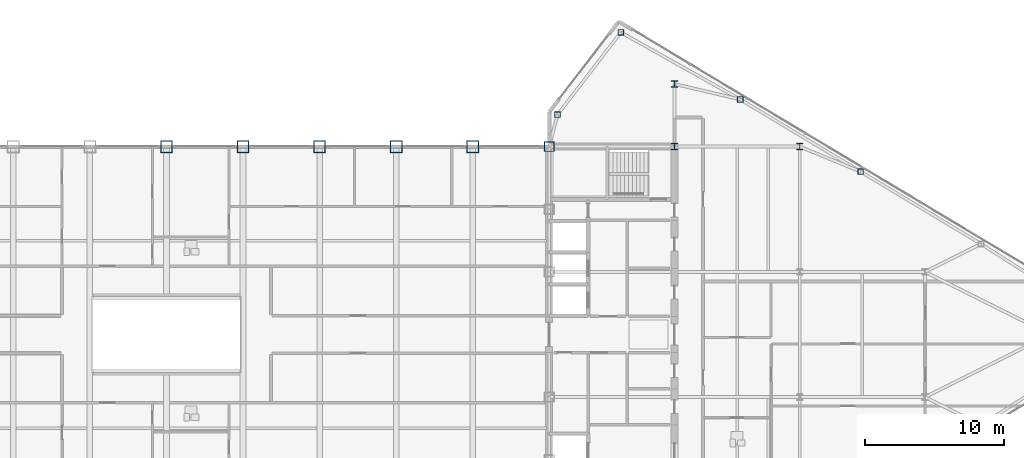
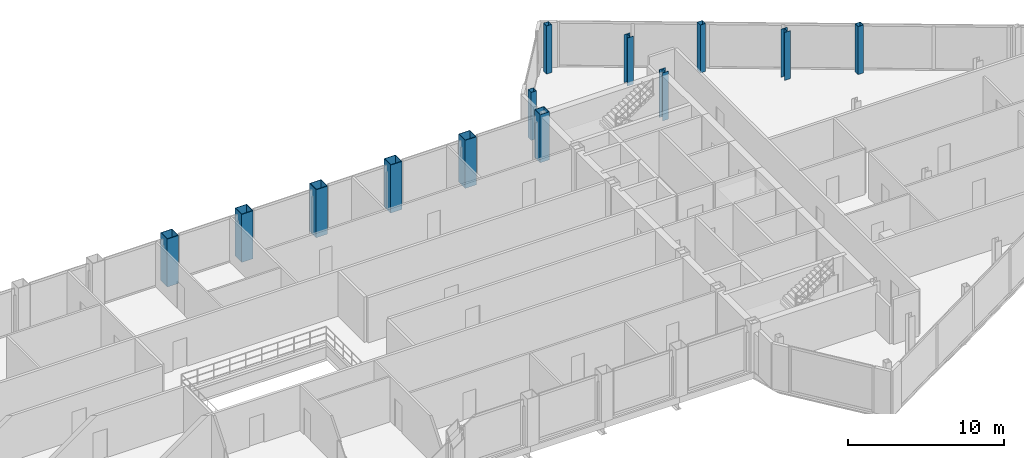
# One storey, part 6 of 29: 13 columns.
"""IFC4 building model written with IfcOpenShell, lengths in metres."""

from ifc_helpers import new_model, si_unit, direction, frame, origin, origin_2d, place, context, subcontext, project, spatial, hollow_rectangle, i_section, extrude, source, transform, mapped, material, material_profile, profile_set, type_object, type_shapes, element, save


model = new_model("IFC4")

# Units and contexts
model_context = context("Model", 3, precision=1e-05, world=origin(), true_north=direction((0.0, 1.0)))
body_context = subcontext(model_context, "Body", "Model", "MODEL_VIEW")
ifc_project = project(units=[si_unit("LENGTHUNIT", "METRE"), si_unit("AREAUNIT", "SQUARE_METRE"), si_unit("VOLUMEUNIT", "CUBIC_METRE"), si_unit("PLANEANGLEUNIT", "RADIAN"), si_unit("MASSUNIT", "GRAM", prefix="KILO")], contexts=[model_context])

# Site, building, storey
site_placement = place(None, origin())
site = spatial("IfcSite", under=ifc_project, at=site_placement, CompositionType="ELEMENT")
building_placement = place(site_placement, origin())
building = spatial("IfcBuilding", under=site, at=building_placement, Name="Seokmaru Belvedere", CompositionType="ELEMENT")
storey_placement = place(building_placement, frame((0.0, 0.0, 258.14990234375)))
storey = spatial("IfcBuildingStorey", under=building, at=storey_placement, Name="L68", CompositionType="ELEMENT", Elevation=258.14990234375)

# Columns
ifc_material_1 = material(Name="Steel SM355 (355 MPa)", Category="steel")
ifc_material_profile_1 = material_profile(ifc_material_1, hollow_rectangle(XDim=0.699951171875, YDim=0.699951171875, WallThickness=0.030029296875, at=origin_2d()), Name="BOX-700x700x30")
ifc_profile_set_1 = profile_set([ifc_material_profile_1], Name="Steel SM355 (355 MPa)")
column_type_1 = type_object("IfcColumnType", Name="Upper Spine Column BOX-700", PredefinedType="COLUMN", material=ifc_profile_set_1)
shared_shape_1 = source(origin(), body_context, "Body", "SweptSolid", [
    extrude(hollow_rectangle(XDim=0.699951171875, YDim=0.699951171875, WallThickness=0.030029296875, at=origin_2d()), origin(), (0.0, 0.0, 1.0), 3.75),
])
type_shapes(column_type_1, [shared_shape_1])
column_placement = place(storey_placement, frame((27.5, 13.5, 0.0), z_axis=(0.0, 0.0, 1.0), x_axis=(1.0, 0.0, 0.0)))
element("IfcColumn", 1, at=column_placement, inside=storey, type_object=column_type_1, Name="L68 Column ES6", PredefinedType="COLUMN", context=body_context, shape_type="MappedRepresentation", body=[
    mapped(shared_shape_1, transform((0.0, 0.0, 0.0), scale=1.0)),
])
ifc_material_profile_2 = material_profile(ifc_material_1, i_section(OverallWidth=0.449951171875, OverallDepth=0.449951171875, WebThickness=0.01611328125, FlangeThickness=0.02490234375, at=origin_2d()), Name="H-450x450x16x25")
ifc_profile_set_2 = profile_set([ifc_material_profile_2], Name="Steel SM355 (355 MPa)")
column_type_2 = type_object("IfcColumnType", Name="Sky-Gate Column H-450", PredefinedType="COLUMN", material=ifc_profile_set_2)
shared_shape_2 = source(origin(), body_context, "Body", "SweptSolid", [
    extrude(i_section(OverallWidth=0.449951171875, OverallDepth=0.449951171875, WebThickness=0.01611328125, FlangeThickness=0.02490234375, at=origin_2d()), origin(), (0.0, 0.0, 1.0), 3.75),
])
type_shapes(column_type_2, [shared_shape_2])
for number, where, z_axis, x_axis, name in (
    (2, (36.5, 13.5, 0.0), (0.0, 0.0, 1.0), (1.0, 0.0, 0.0), "L68 Column EC3"),
    (3, (36.5, 18.0, 0.0), (0.0, 0.0, 1.0), (1.0, 0.0, 0.0), "L68 Column EC4"),
    (4, (45.5, 13.5, 0.0), (0.0, 0.0, 1.0), (1.0, 0.0, 0.0), "L68 Column EG5_4"),
):
    element("IfcColumn", number, at=place(storey_placement, frame(where, z_axis=z_axis, x_axis=x_axis)), inside=storey, type_object=column_type_2, Name=name, PredefinedType="COLUMN", context=body_context, shape_type="MappedRepresentation", body=[
        mapped(shared_shape_2, transform((0.0, 0.0, 0.0), scale=1.0)),
    ])
ifc_material_profile_3 = material_profile(ifc_material_1, hollow_rectangle(XDim=0.39990234375, YDim=0.39990234375, WallThickness=0.01611328125, at=origin_2d()), Name="HSS-400x400x16")
ifc_profile_set_3 = profile_set([ifc_material_profile_3], Name="Steel SM355 (355 MPa)")
column_type_3 = type_object("IfcColumnType", Name="Perimeter Facet Column HSS-400", PredefinedType="COLUMN", material=ifc_profile_set_3)
shared_shape_3 = source(origin(), body_context, "Body", "SweptSolid", [
    extrude(hollow_rectangle(XDim=0.39990234375, YDim=0.39990234375, WallThickness=0.01611328125, at=origin_2d()), origin(), (0.0, 0.0, 1.0), 3.75),
])
type_shapes(column_type_3, [shared_shape_3])
for number, where, z_axis, x_axis, name in (
    (5, (32.649658203125, 21.71044921875, 0.0), (0.0, 0.0, 1.0), (1.0, 0.0, 0.0), "L68 Column EF4"),
    (6, (28.10009765625, 15.7958984375, 0.0), (0.0, 0.0, 1.0), (1.0, 0.0, 0.0), "L68 Column EF5"),
    (7, (41.229736328125, 16.888916015625, 0.0), (0.0, 0.0, 1.0), (1.0, 0.0, 0.0), "L68 Column EFLK_N1"),
    (8, (49.8798828125, 11.698974609375, 0.0), (0.0, 0.0, 1.0), (1.0, 0.0, 0.0), "L68 Column EFLK_N2"),
):
    element("IfcColumn", number, at=place(storey_placement, frame(where, z_axis=z_axis, x_axis=x_axis)), inside=storey, type_object=column_type_3, Name=name, PredefinedType="COLUMN", context=body_context, shape_type="MappedRepresentation", body=[
        mapped(shared_shape_3, transform((0.0, 0.0, 0.0), scale=1.0)),
    ])
ifc_material_2 = material(Name="Steel HSA650 (650 MPa)", Category="steel")
ifc_material_profile_4 = material_profile(ifc_material_2, hollow_rectangle(XDim=0.85009765625, YDim=0.85009765625, WallThickness=0.035888671875, at=origin_2d()), Name="BOX-850x850x36")
ifc_profile_set_4 = profile_set([ifc_material_profile_4], Name="Steel HSA650 (650 MPa)")
column_type_4 = type_object("IfcColumnType", Name="Portal Spine Column BOX-850", PredefinedType="COLUMN", material=ifc_profile_set_4)
shared_shape_4 = source(origin(), body_context, "Body", "SweptSolid", [
    extrude(hollow_rectangle(XDim=0.85009765625, YDim=0.85009765625, WallThickness=0.035888671875, at=origin_2d()), origin(), (0.0, 0.0, 1.0), 3.75),
])
type_shapes(column_type_4, [shared_shape_4])
for number, where, z_axis, x_axis, name in (
    (9, (0.0, 13.5, 0.0), (0.0, 0.0, 1.0), (1.0, 0.0, 0.0), "L68 Column BRN_5"),
    (10, (5.5, 13.5, 0.0), (0.0, 0.0, 1.0), (1.0, 0.0, 0.0), "L68 Column BRN_6"),
    (11, (11.0, 13.5, 0.0), (0.0, 0.0, 1.0), (1.0, 0.0, 0.0), "L68 Column BRN_7"),
    (12, (16.5, 13.5, 0.0), (0.0, 0.0, 1.0), (1.0, 0.0, 0.0), "L68 Column BRN_8"),
    (13, (22.0, 13.5, 0.0), (0.0, 0.0, 1.0), (1.0, 0.0, 0.0), "L68 Column BRN_9"),
):
    element("IfcColumn", number, at=place(storey_placement, frame(where, z_axis=z_axis, x_axis=x_axis)), inside=storey, type_object=column_type_4, Name=name, PredefinedType="COLUMN", context=body_context, shape_type="MappedRepresentation", body=[
        mapped(shared_shape_4, transform((0.0, 0.0, 0.0), scale=1.0)),
    ])

save(model, "model.ifc")
